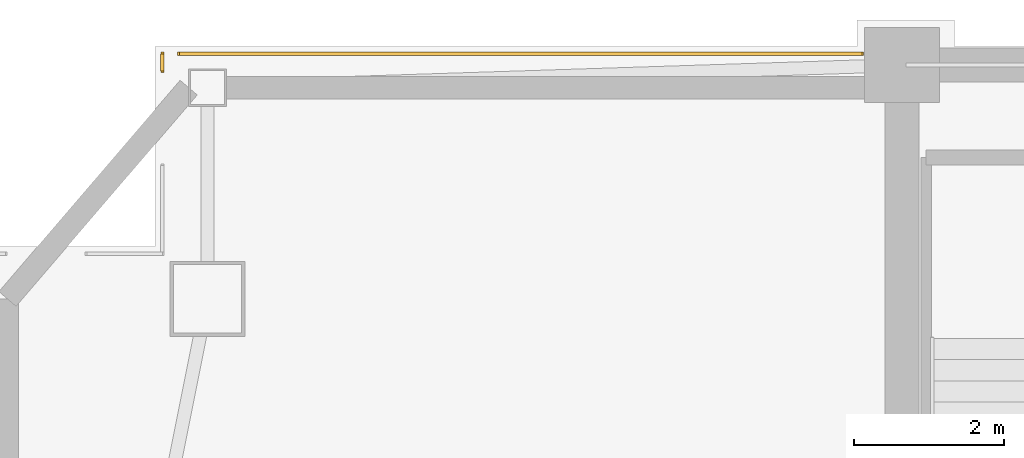
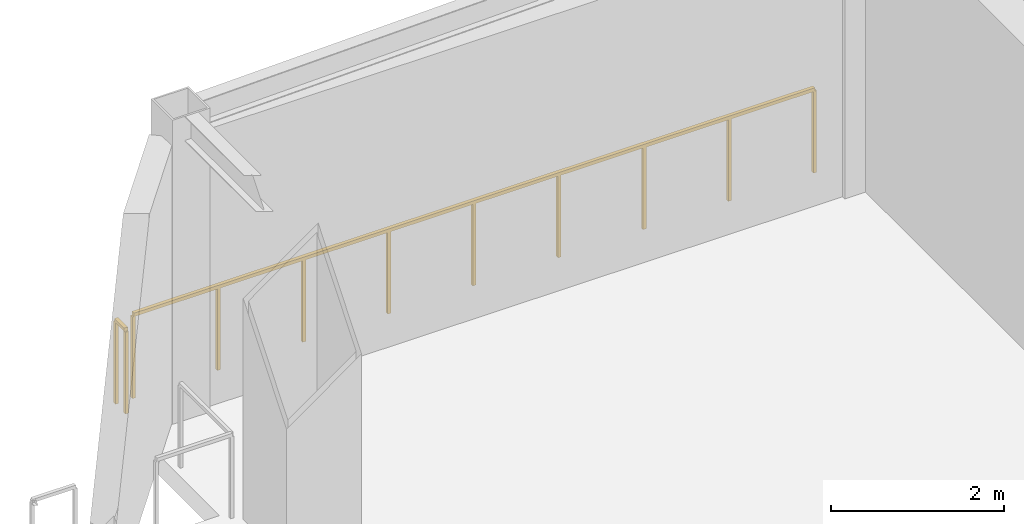
# One storey, part 8 of 9: 2 railings.
"""IFC4 building model written with IfcOpenShell, lengths in metres."""

import ifcopenshell
import ifcopenshell.guid

model = None  # the IFC model being written
_history = None  # IfcOwnerHistory: only IFC2X3 demands one
_inside = {}  # id of a spatial element -> (the spatial element, [elements in it])
_under = {}  # id of a project, library or spatial element -> (it, [spatial elements below it])
_declared = {}  # id of a project -> (the project, [libraries it declares])
_typed = {}  # id of a type object -> (the type object, [elements of that type])
_made_of = {}  # id of a material, layer set ... -> (it, [elements and type objects made of it])


def new_model(schema):
    """Start an empty IFC model of exactly this schema.

    Asked for "IFC4X3", IfcOpenShell would pick the latest addendum, in which some entities
    have other attributes; the version numbers below select the first issue.
    IFC2X3 requires an IfcOwnerHistory on every rooted entity: one is made here for all.
    """
    global model, _history
    if schema == "IFC4X3":
        model = ifcopenshell.file(schema_version=(4, 3, 0, 0))
    else:
        model = ifcopenshell.file(schema=schema)
    _inside.clear()
    _under.clear()
    _declared.clear()
    _typed.clear()
    _made_of.clear()
    _history = None
    if model.schema == "IFC2X3":
        org = make("IfcOrganization", Name="unknown")
        user = make(
            "IfcPersonAndOrganization",
            ThePerson=make("IfcPerson", FamilyName="unknown"),
            TheOrganization=org,
        )
        app = make(
            "IfcApplication",
            ApplicationDeveloper=org,
            Version="unknown",
            ApplicationFullName="unknown",
            ApplicationIdentifier="unknown",
        )
        _history = make(
            "IfcOwnerHistory",
            OwningUser=user,
            OwningApplication=app,
            ChangeAction="ADDED",
            CreationDate=0,
        )
    return model


def make(cls, **values):
    """One entity of the class cls with the attributes given. An attribute that is None is left unset."""
    return model.create_entity(
        cls, **{name: value for name, value in values.items() if value is not None}
    )


def rooted(cls, **values):
    """An entity with a GlobalId (a new one), such as an element, a storey or a relation."""
    return make(cls, GlobalId=ifcopenshell.guid.new(), OwnerHistory=_history, **values)


def si_unit(unit_type, name, prefix=None):
    """IfcSIUnit, for example si_unit("LENGTHUNIT", "METRE", prefix="MILLI")."""
    return make("IfcSIUnit", UnitType=unit_type, Prefix=prefix, Name=name)


def assignment(units):
    """IfcUnitAssignment: the units of a project."""
    return None if units is None else make("IfcUnitAssignment", Units=units)


def point(xyz):
    """IfcCartesianPoint."""
    return None if xyz is None else make("IfcCartesianPoint", Coordinates=xyz)


def direction(xyz):
    """IfcDirection."""
    return None if xyz is None else make("IfcDirection", DirectionRatios=xyz)


def frame(location, z_axis=None, x_axis=None):
    """IfcAxis2Placement3D, a coordinate frame: its origin and axes. An axis left out is left unset."""
    return make(
        "IfcAxis2Placement3D",
        Location=point(location),
        Axis=direction(z_axis),
        RefDirection=direction(x_axis),
    )


def frame_2d(location, x_axis=None):
    """IfcAxis2Placement2D, a coordinate frame in the plane: its origin and x axis."""
    return make(
        "IfcAxis2Placement2D", Location=point(location), RefDirection=direction(x_axis)
    )


def origin():
    """The frame at (0, 0, 0) with its axes left unset."""
    return frame((0.0, 0.0, 0.0))


def origin_2d():
    """The frame at (0, 0) in the plane with its x axis left unset."""
    return frame_2d((0.0, 0.0))


def place(relative_to, where):
    """IfcLocalPlacement: puts the frame where relative to a parent placement (None: the world)."""
    return make(
        "IfcLocalPlacement", PlacementRelTo=relative_to, RelativePlacement=where
    )


def context(
    kind, dimensions, precision=None, world=None, true_north=None, identifier=None
):
    """IfcGeometricRepresentationContext, for example the 3D "Model" context."""
    return make(
        "IfcGeometricRepresentationContext",
        ContextIdentifier=identifier,
        ContextType=kind,
        CoordinateSpaceDimension=dimensions,
        Precision=precision,
        WorldCoordinateSystem=world,
        TrueNorth=true_north,
    )


def subcontext(parent, identifier, kind, view, scale=None):
    """IfcGeometricRepresentationSubContext, for example "Body" below "Model"."""
    return make(
        "IfcGeometricRepresentationSubContext",
        ContextIdentifier=identifier,
        ContextType=kind,
        ParentContext=parent,
        TargetScale=scale,
        TargetView=view,
    )


def project(units=None, contexts=None):
    """IfcProject with its units and contexts."""
    return rooted(
        "IfcProject",
        Name="project",
        RepresentationContexts=contexts,
        UnitsInContext=assignment(units),
    )


def spatial(cls, under=None, at=None, **own):
    """A site, building, storey or space (cls), placed at a placement, below another one or the project."""
    s = rooted(cls, ObjectPlacement=at, **own)
    if under is not None:
        _under.setdefault(under.id(), (under, []))[1].append(s)
    return s


def profile(cls, at=None, kind="AREA", **sizes):
    """A parametric profile (cls). Its sizes go by their IFC names, for example OverallWidth=200.0."""
    return make(cls, ProfileType=kind, Position=at, **sizes)


def rectangle(**sizes):
    """IfcRectangleProfileDef."""
    return profile("IfcRectangleProfileDef", **sizes)


def extrude(swept, where, along, depth):
    """IfcExtrudedAreaSolid: the profile swept, set in the frame where, extruded along a direction by depth."""
    return make(
        "IfcExtrudedAreaSolid",
        SweptArea=swept,
        Position=where,
        ExtrudedDirection=direction(along),
        Depth=depth,
    )


def shape(context_of_items, identifier, shape_type, items):
    """IfcShapeRepresentation: the items that make up one representation, for example the "Body"."""
    return make(
        "IfcShapeRepresentation",
        ContextOfItems=context_of_items,
        RepresentationIdentifier=identifier,
        RepresentationType=shape_type,
        Items=items,
    )


def material(Name=None, Category=None):
    """IfcMaterial."""
    return make("IfcMaterial", Name=Name, Category=Category)


def made_of(thing, what):
    """Note that an element or type object is made of a material, layer set ...; save() writes the relation."""
    if what is not None:
        _made_of.setdefault(what.id(), (what, []))[1].append(thing)
    return thing


def type_object(cls, material=None, **own):
    """A type object (cls), such as IfcWallType, which elements share."""
    return made_of(rooted(cls, **own), material)


def element(
    cls,
    number,
    at=None,
    inside=None,
    cuts=None,
    type_object=None,
    material=None,
    context=None,
    identifier="Body",
    shape_type=None,
    held_by="IfcProductDefinitionShape",
    body=None,
    shapes=None,
    **own,
):
    """One element of the class cls, such as IfcWall. Its Tag is "e" and its number.

    at: its placement. inside: the storey or other place that contains it. cuts: it is an
    opening in that element (IfcRelVoidsElement). A single representation is given by context,
    identifier, shape_type and body (its items); several are given by shapes. held_by: the class
    of the entity that holds the representations. save() writes the other relations.
    """
    e = rooted(cls, Tag="e%d" % number, ObjectPlacement=at, **own)
    if body is not None:
        shapes = [shape(context, identifier, shape_type, body)]
    if shapes is not None:
        e.Representation = make(held_by, Representations=shapes)
    if inside is not None:
        _inside.setdefault(inside.id(), (inside, []))[1].append(e)
    if cuts is not None:
        rooted(
            "IfcRelVoidsElement", RelatingBuildingElement=cuts, RelatedOpeningElement=e
        )
    if type_object is not None:
        _typed.setdefault(type_object.id(), (type_object, []))[1].append(e)
    return made_of(e, material)


def aggregate(whole, parts):
    """IfcRelAggregates: a whole, such as a stair, and the parts it consists of."""
    return rooted("IfcRelAggregates", RelatingObject=whole, RelatedObjects=parts)


def save(model, path):
    """Write the relations noted so far, then the file.

    IfcRelAggregates (storeys below a building ...), IfcRelContainedInSpatialStructure (elements
    in a storey), IfcRelDefinesByType, IfcRelAssociatesMaterial and IfcRelDeclares: one each for
    every whole, place, type object, material and project.
    """
    for whole, parts in _under.values():
        aggregate(whole, parts)
    for where, things in _inside.values():
        rooted(
            "IfcRelContainedInSpatialStructure",
            RelatedElements=things,
            RelatingStructure=where,
        )
    for kind, things in _typed.values():
        rooted("IfcRelDefinesByType", RelatedObjects=things, RelatingType=kind)
    for what, things in _made_of.values():
        rooted("IfcRelAssociatesMaterial", RelatedObjects=things, RelatingMaterial=what)
    for by, libraries in _declared.values():
        rooted("IfcRelDeclares", RelatingContext=by, RelatedDefinitions=libraries)
    model.write(path)


model = new_model("IFC4")

# Units and contexts
model_context = context("Model", 3, precision=1e-05, world=origin(), true_north=direction((0.0, 1.0)))
body_context = subcontext(model_context, "Body", "Model", "MODEL_VIEW")
ifc_project = project(units=[si_unit("LENGTHUNIT", "METRE"), si_unit("AREAUNIT", "SQUARE_METRE"), si_unit("VOLUMEUNIT", "CUBIC_METRE"), si_unit("PLANEANGLEUNIT", "RADIAN"), si_unit("MASSUNIT", "GRAM", prefix="KILO")], contexts=[model_context])

# Site, building, storey
site_placement = place(None, origin())
site = spatial("IfcSite", under=ifc_project, at=site_placement, CompositionType="ELEMENT")
building_placement = place(site_placement, origin())
building = spatial("IfcBuilding", under=site, at=building_placement, Name="Giltprow Tower", CompositionType="ELEMENT")
storey_placement = place(building_placement, frame((0.0, 0.0, 237.199951171875)))
storey = spatial("IfcBuildingStorey", under=building, at=storey_placement, Name="L60", CompositionType="ELEMENT", Elevation=237.199951171875)

# Railings
ifc_material = material(Name="Anodized bronze", Category="metal")
railing_type = type_object("IfcRailingType", Name="RAIL-BALC-GUARD-1200", PredefinedType="BALUSTRADE", material=ifc_material)
railing_1_placement = place(storey_placement, frame((10.009033203125, 46.471923828125, 0.0)))
element("IfcRailing", 1, at=railing_1_placement, inside=storey, type_object=railing_type, Name="L60 Corner Apron Edge Balustrade 15", PredefinedType="BALUSTRADE", context=body_context, shape_type="SweptSolid", body=[
    extrude(rectangle(XDim=0.048095703125, YDim=0.048095703125, at=origin_2d()), frame((0.0, 0.0, 1.17578125), z_axis=(0.0, 1.0, 0.0), x_axis=(-1.0, 0.0, 0.0)), (0.0, 0.0, 1.0), 0.22802734375),
    extrude(rectangle(XDim=0.0419921875, YDim=0.0419921875, at=origin_2d()), origin(), (0.0, 0.0, 1.0), 1.15185546875),
    extrude(rectangle(XDim=0.0419921875, YDim=0.0419921875, at=origin_2d()), frame((0.0, 0.22802734375, 0.0)), (0.0, 0.0, 1.0), 1.15185546875),
])
railing_2_placement = place(storey_placement, frame((10.23388671875, 46.699951171875, 0.0)))
element("IfcRailing", 2, at=railing_2_placement, inside=storey, type_object=railing_type, Name="L60 Corner Apron Edge Balustrade 16", PredefinedType="BALUSTRADE", context=body_context, shape_type="SweptSolid", body=[
    extrude(rectangle(XDim=0.048095703125, YDim=0.048095703125, at=origin_2d()), frame((0.0, 0.0, 1.17578125), z_axis=(1.0, 0.0, 0.0), x_axis=(0.0, 1.0, 0.0)), (0.0, 0.0, 1.0), 9.0810546875),
    extrude(rectangle(XDim=0.0419921875, YDim=0.0419921875, at=origin_2d()), origin(), (0.0, 0.0, 1.0), 1.15185546875),
    extrude(rectangle(XDim=0.0419921875, YDim=0.0419921875, at=origin_2d()), frame((1.13525390625, 0.0, 0.0)), (0.0, 0.0, 1.0), 1.15185546875),
    extrude(rectangle(XDim=0.0419921875, YDim=0.0419921875, at=origin_2d()), frame((2.270263671875, 0.0, 0.0)), (0.0, 0.0, 1.0), 1.15185546875),
    extrude(rectangle(XDim=0.0419921875, YDim=0.0419921875, at=origin_2d()), frame((3.4052734375, 0.0, 0.0)), (0.0, 0.0, 1.0), 1.15185546875),
    extrude(rectangle(XDim=0.0419921875, YDim=0.0419921875, at=origin_2d()), frame((4.54052734375, 0.0, 0.0)), (0.0, 0.0, 1.0), 1.15185546875),
    extrude(rectangle(XDim=0.0419921875, YDim=0.0419921875, at=origin_2d()), frame((5.67578125, 0.0, 0.0)), (0.0, 0.0, 1.0), 1.15185546875),
    extrude(rectangle(XDim=0.0419921875, YDim=0.0419921875, at=origin_2d()), frame((6.810791015625, 0.0, 0.0)), (0.0, 0.0, 1.0), 1.15185546875),
    extrude(rectangle(XDim=0.0419921875, YDim=0.0419921875, at=origin_2d()), frame((7.94580078125, 0.0, 0.0)), (0.0, 0.0, 1.0), 1.15185546875),
    extrude(rectangle(XDim=0.0419921875, YDim=0.0419921875, at=origin_2d()), frame((9.0810546875, 0.0, 0.0)), (0.0, 0.0, 1.0), 1.15185546875),
])

save(model, "model.ifc")
